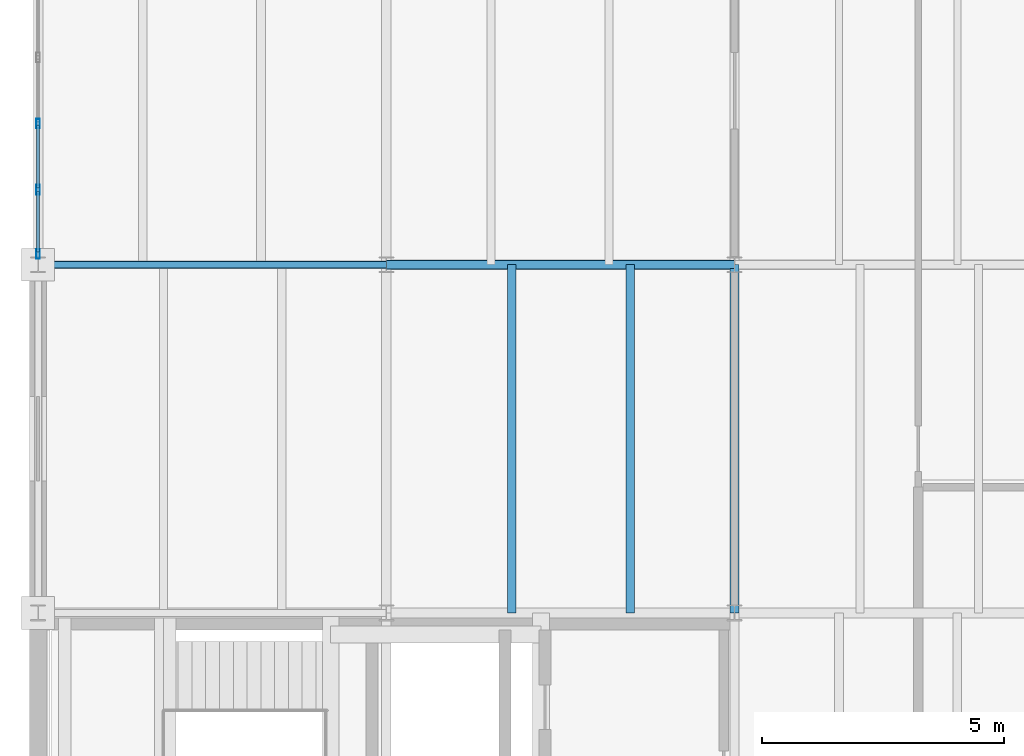
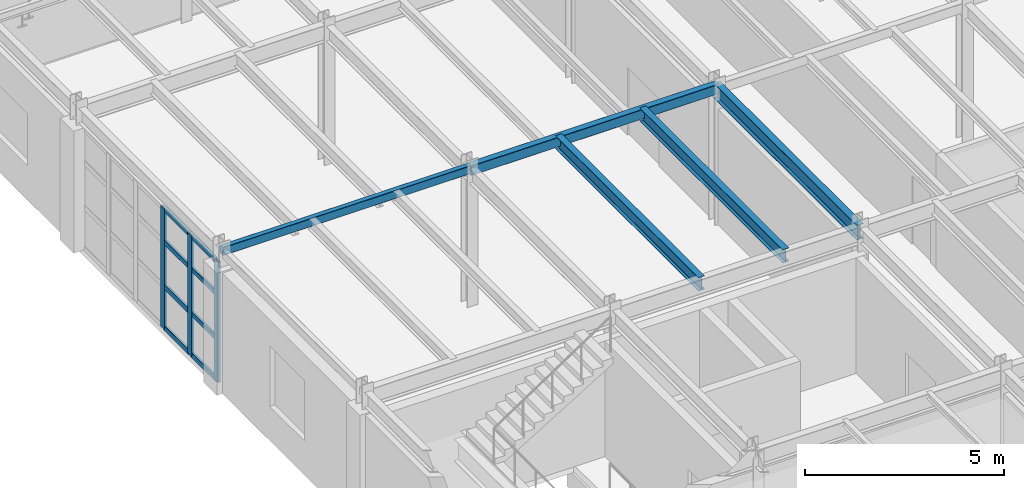
# One storey, part 25 of 137: 11 members, 5 beams, 1 element without a shape of its own.
"""IFC4 building model written with IfcOpenShell, lengths in metres."""

from ifc_helpers import new_model, si_unit, direction, frame, origin, origin_2d, place, context, subcontext, project, spatial, hollow_rectangle, i_section, extrude, material, layer, layer_set, material_profile, profile_set, type_object, element, aggregate, save


model = new_model("IFC4")

# Units and contexts
model_context = context("Model", 3, precision=1e-05, world=origin(), true_north=direction((0.0, 1.0)))
body_context = subcontext(model_context, "Body", "Model", "MODEL_VIEW")
ifc_project = project(units=[si_unit("LENGTHUNIT", "METRE"), si_unit("AREAUNIT", "SQUARE_METRE"), si_unit("VOLUMEUNIT", "CUBIC_METRE"), si_unit("PLANEANGLEUNIT", "RADIAN"), si_unit("MASSUNIT", "GRAM", prefix="KILO")], contexts=[model_context])

# Site, building, storey
site_placement = place(None, origin())
site = spatial("IfcSite", under=ifc_project, at=site_placement, CompositionType="ELEMENT")
building_placement = place(site_placement, origin())
building = spatial("IfcBuilding", under=site, at=building_placement, Name="Kemerveld Promenade Tramway Depot", CompositionType="ELEMENT")
storey_placement = place(building_placement, frame((0.0, 0.0, 5.39990234375)))
storey = spatial("IfcBuildingStorey", under=building, at=storey_placement, Name="L01", CompositionType="ELEMENT", Elevation=5.39990234375)

# Beams
ifc_material_1 = material(Name="Steel S355", Category="steel")
ifc_material_profile_1 = material_profile(ifc_material_1, i_section(OverallWidth=0.19140625, OverallDepth=0.4599609375, WebThickness=0.010009765625, FlangeThickness=0.01611328125, FilletRadius=0.01025390625, at=origin_2d()), Name="457x191x82 UB")
ifc_profile_set_1 = profile_set([ifc_material_profile_1], Name="Steel S355")
beam_type_1 = type_object("IfcBeamType", Name="BM-G06", PredefinedType="BEAM", material=ifc_profile_set_1)
beam_1_placement = place(storey_placement, frame((14.39990234375, 21.60009765625, 4.030029296875), z_axis=(0.0, 1.0, 0.0), x_axis=(-1.0, 0.0, 0.0)))
element("IfcBeam", 1, at=beam_1_placement, inside=storey, type_object=beam_type_1, Name="BMY-L01-03-D-E", PredefinedType="BEAM", context=body_context, shape_type="SweptSolid", body=[
    extrude(i_section(OverallWidth=0.19140625, OverallDepth=0.4599609375, WebThickness=0.010009765625, FlangeThickness=0.01611328125, FilletRadius=0.01025390625, at=origin_2d()), origin(), (0.0, 0.0, 1.0), 7.199951171875),
])
ifc_material_profile_2 = material_profile(ifc_material_1, hollow_rectangle(XDim=0.14990234375, YDim=0.25, WallThickness=0.010009765625, InnerFilletRadius=0.0048828125, OuterFilletRadius=0.014892578125, at=origin_2d()), Name="250x150x10.0 RHS")
ifc_profile_set_2 = profile_set([ifc_material_profile_2], Name="Steel S355")
beam_type_2 = type_object("IfcBeamType", Name="BM-G17", PredefinedType="BEAM", material=ifc_profile_set_2)
beam_2_placement = place(storey_placement, frame((0.0, 28.800048828125, 4.135009765625), z_axis=(1.0, 0.0, 0.0), x_axis=(0.0, 1.0, 0.0)))
element("IfcBeam", 2, at=beam_2_placement, inside=storey, type_object=beam_type_2, Name="BMX-L01-01-02-E", PredefinedType="BEAM", context=body_context, shape_type="SweptSolid", body=[
    extrude(hollow_rectangle(XDim=0.14990234375, YDim=0.25, WallThickness=0.010009765625, InnerFilletRadius=0.0048828125, OuterFilletRadius=0.014892578125, at=origin_2d()), origin(), (0.0, 0.0, 1.0), 7.199951171875),
])
ifc_material_profile_3 = material_profile(ifc_material_1, hollow_rectangle(XDim=0.199951171875, YDim=0.300048828125, WallThickness=0.012451171875, InnerFilletRadius=0.00634765625, OuterFilletRadius=0.018798828125, at=origin_2d()), Name="300x200x12.5 RHS")
ifc_profile_set_3 = profile_set([ifc_material_profile_3], Name="Steel S355")
beam_type_3 = type_object("IfcBeamType", Name="BM-G18", PredefinedType="BEAM", material=ifc_profile_set_3)
beam_3_placement = place(storey_placement, frame((7.199951171875, 28.800048828125, 4.110107421875), z_axis=(1.0, 0.0, 0.0), x_axis=(0.0, 1.0, 0.0)))
element("IfcBeam", 3, at=beam_3_placement, inside=storey, type_object=beam_type_3, Name="BMX-L01-02-03-E", PredefinedType="BEAM", context=body_context, shape_type="SweptSolid", body=[
    extrude(hollow_rectangle(XDim=0.199951171875, YDim=0.300048828125, WallThickness=0.012451171875, InnerFilletRadius=0.00634765625, OuterFilletRadius=0.018798828125, at=origin_2d()), origin(), (0.0, 0.0, 1.0), 7.199951171875),
])
ifc_material_profile_4 = material_profile(ifc_material_1, i_section(OverallWidth=0.1787109375, OverallDepth=0.409423828125, WebThickness=0.0087890625, FlangeThickness=0.014404296875, FilletRadius=0.01025390625, at=origin_2d()), Name="406x178x67 UB")
ifc_profile_set_4 = profile_set([ifc_material_profile_4], Name="Steel S355")
beam_type_4 = type_object("IfcBeamType", Name="BM-J05", PredefinedType="JOIST", material=ifc_profile_set_4)
for number, where, z_axis, x_axis, name in (
    (4, (9.7919921875, 21.60009765625, 4.055419921875), (0.0, 1.0, 0.0), (-1.0, 0.0, 0.0), "JST-L01-02-D-1"),
    (5, (12.239990234375, 21.60009765625, 4.055419921875), (0.0, 1.0, 0.0), (-1.0, 0.0, 0.0), "JST-L01-02-D-2"),
):
    element("IfcBeam", number, at=place(storey_placement, frame(where, z_axis=z_axis, x_axis=x_axis)), inside=storey, type_object=beam_type_4, Name=name, PredefinedType="JOIST", context=body_context, shape_type="SweptSolid", body=[
        extrude(i_section(OverallWidth=0.1787109375, OverallDepth=0.409423828125, WebThickness=0.0087890625, FlangeThickness=0.014404296875, FilletRadius=0.01025390625, at=origin_2d()), origin(), (0.0, 0.0, 1.0), 7.199951171875),
    ])

# Curtain wall, members
ifc_material_2 = material(Name="Bronze anodised aluminium and solar glass", Category="aluminium")
ifc_layer = layer(ifc_material_2, 0.199951171875)
ifc_layer_set = layer_set([ifc_layer], Name="CW-SYS-08")
curtain_wall_type = type_object("IfcCurtainWallType", Name="CW-SYS-08", PredefinedType="USERDEFINED", material=ifc_layer_set)
curtain_wall_placement = place(storey_placement, origin())
curtain_wall = element("IfcCurtainWall", 6, at=curtain_wall_placement, inside=storey, type_object=curtain_wall_type, Name="CW-L01-V5W-05", ObjectType="GLAZED_CURTAIN_WALL", PredefinedType="USERDEFINED")
ifc_material_3 = material(Name="Bronze anodised aluminium", Category="aluminium")
ifc_material_profile_5 = material_profile(ifc_material_3, hollow_rectangle(XDim=0.074951171875, YDim=0.199951171875, WallThickness=0.0048828125, InnerFilletRadius=0.001953125, OuterFilletRadius=0.0048828125, at=origin_2d()), Name="CW-MUL-200x75")
ifc_profile_set_5 = profile_set([ifc_material_profile_5], Name="Bronze anodised aluminium")
member_type_1 = type_object("IfcMemberType", Name="CW-MUL-B", PredefinedType="MULLION", material=ifc_profile_set_5)
member_1_placement = place(storey_placement, frame((0.0, 29.02099609375, 0.0), z_axis=(0.0, 0.0, 1.0), x_axis=(-1.0, 0.0, 0.0)))
member_1 = element("IfcMember", 7, at=member_1_placement, type_object=member_type_1, Name="CW08 mullion 1", PredefinedType="MULLION", context=body_context, shape_type="SweptSolid", body=[
    extrude(hollow_rectangle(XDim=0.074951171875, YDim=0.199951171875, WallThickness=0.0048828125, InnerFilletRadius=0.001953125, OuterFilletRadius=0.0048828125, at=origin_2d()), origin(), (0.0, 0.0, 1.0), 3.70361328125),
])
member_2_placement = place(storey_placement, frame((0.0, 30.35009765625, 0.0), z_axis=(0.0, 0.0, 1.0), x_axis=(-1.0, 0.0, 0.0)))
member_2 = element("IfcMember", 8, at=member_2_placement, type_object=member_type_1, Name="CW08 mullion 2", PredefinedType="MULLION", context=body_context, shape_type="SweptSolid", body=[
    extrude(hollow_rectangle(XDim=0.074951171875, YDim=0.199951171875, WallThickness=0.0048828125, InnerFilletRadius=0.001953125, OuterFilletRadius=0.0048828125, at=origin_2d()), origin(), (0.0, 0.0, 1.0), 3.70361328125),
])
member_3_placement = place(storey_placement, frame((0.0, 31.716796875, 0.0), z_axis=(0.0, 0.0, 1.0), x_axis=(-1.0, 0.0, 0.0)))
member_3 = element("IfcMember", 9, at=member_3_placement, type_object=member_type_1, Name="CW08 mullion 3", PredefinedType="MULLION", context=body_context, shape_type="SweptSolid", body=[
    extrude(hollow_rectangle(XDim=0.074951171875, YDim=0.199951171875, WallThickness=0.0048828125, InnerFilletRadius=0.001953125, OuterFilletRadius=0.0048828125, at=origin_2d()), origin(), (0.0, 0.0, 1.0), 3.70361328125),
])
ifc_material_profile_6 = material_profile(ifc_material_3, hollow_rectangle(XDim=0.06494140625, YDim=0.14990234375, WallThickness=0.00439453125, InnerFilletRadius=0.001953125, OuterFilletRadius=0.00439453125, at=origin_2d()), Name="CW-TRN-150x65")
ifc_profile_set_6 = profile_set([ifc_material_profile_6], Name="Bronze anodised aluminium")
member_type_2 = type_object("IfcMemberType", Name="CW-TRN-B", PredefinedType="USERDEFINED", material=ifc_profile_set_6)
member_4_placement = place(storey_placement, frame((0.0, 29.05859375, 0.03271484375), z_axis=(0.0, 1.0, 0.0), x_axis=(-1.0, 0.0, 0.0)))
member_4 = element("IfcMember", 10, at=member_4_placement, type_object=member_type_2, Name="CW08 transom 1.1", ObjectType="TRANSOM", PredefinedType="USERDEFINED", context=body_context, shape_type="SweptSolid", body=[
    extrude(hollow_rectangle(XDim=0.06494140625, YDim=0.14990234375, WallThickness=0.00439453125, InnerFilletRadius=0.001953125, OuterFilletRadius=0.00439453125, at=origin_2d()), origin(), (0.0, 0.0, 1.0), 1.254150390625),
])
member_5_placement = place(storey_placement, frame((0.0, 29.05859375, 1.296142578125), z_axis=(0.0, 1.0, 0.0), x_axis=(-1.0, 0.0, 0.0)))
member_5 = element("IfcMember", 11, at=member_5_placement, type_object=member_type_2, Name="CW08 transom 1.2", ObjectType="TRANSOM", PredefinedType="USERDEFINED", context=body_context, shape_type="SweptSolid", body=[
    extrude(hollow_rectangle(XDim=0.06494140625, YDim=0.14990234375, WallThickness=0.00439453125, InnerFilletRadius=0.001953125, OuterFilletRadius=0.00439453125, at=origin_2d()), origin(), (0.0, 0.0, 1.0), 1.254150390625),
])
member_6_placement = place(storey_placement, frame((0.0, 29.05859375, 2.666015625), z_axis=(0.0, 1.0, 0.0), x_axis=(-1.0, 0.0, 0.0)))
member_6 = element("IfcMember", 12, at=member_6_placement, type_object=member_type_2, Name="CW08 transom 1.3", ObjectType="TRANSOM", PredefinedType="USERDEFINED", context=body_context, shape_type="SweptSolid", body=[
    extrude(hollow_rectangle(XDim=0.06494140625, YDim=0.14990234375, WallThickness=0.00439453125, InnerFilletRadius=0.001953125, OuterFilletRadius=0.00439453125, at=origin_2d()), origin(), (0.0, 0.0, 1.0), 1.254150390625),
])
member_7_placement = place(storey_placement, frame((0.0, 29.05859375, 3.6708984375), z_axis=(0.0, 1.0, 0.0), x_axis=(-1.0, 0.0, 0.0)))
member_7 = element("IfcMember", 13, at=member_7_placement, type_object=member_type_2, Name="CW08 transom 1.4", ObjectType="TRANSOM", PredefinedType="USERDEFINED", context=body_context, shape_type="SweptSolid", body=[
    extrude(hollow_rectangle(XDim=0.06494140625, YDim=0.14990234375, WallThickness=0.00439453125, InnerFilletRadius=0.001953125, OuterFilletRadius=0.00439453125, at=origin_2d()), origin(), (0.0, 0.0, 1.0), 1.254150390625),
])
member_8_placement = place(storey_placement, frame((0.0, 30.3876953125, 0.03271484375), z_axis=(0.0, 1.0, 0.0), x_axis=(-1.0, 0.0, 0.0)))
member_8 = element("IfcMember", 14, at=member_8_placement, type_object=member_type_2, Name="CW08 transom 2.1", ObjectType="TRANSOM", PredefinedType="USERDEFINED", context=body_context, shape_type="SweptSolid", body=[
    extrude(hollow_rectangle(XDim=0.06494140625, YDim=0.14990234375, WallThickness=0.00439453125, InnerFilletRadius=0.001953125, OuterFilletRadius=0.00439453125, at=origin_2d()), origin(), (0.0, 0.0, 1.0), 1.29150390625),
])
member_9_placement = place(storey_placement, frame((0.0, 30.3876953125, 1.296142578125), z_axis=(0.0, 1.0, 0.0), x_axis=(-1.0, 0.0, 0.0)))
member_9 = element("IfcMember", 15, at=member_9_placement, type_object=member_type_2, Name="CW08 transom 2.2", ObjectType="TRANSOM", PredefinedType="USERDEFINED", context=body_context, shape_type="SweptSolid", body=[
    extrude(hollow_rectangle(XDim=0.06494140625, YDim=0.14990234375, WallThickness=0.00439453125, InnerFilletRadius=0.001953125, OuterFilletRadius=0.00439453125, at=origin_2d()), origin(), (0.0, 0.0, 1.0), 1.29150390625),
])
member_10_placement = place(storey_placement, frame((0.0, 30.3876953125, 2.666015625), z_axis=(0.0, 1.0, 0.0), x_axis=(-1.0, 0.0, 0.0)))
member_10 = element("IfcMember", 16, at=member_10_placement, type_object=member_type_2, Name="CW08 transom 2.3", ObjectType="TRANSOM", PredefinedType="USERDEFINED", context=body_context, shape_type="SweptSolid", body=[
    extrude(hollow_rectangle(XDim=0.06494140625, YDim=0.14990234375, WallThickness=0.00439453125, InnerFilletRadius=0.001953125, OuterFilletRadius=0.00439453125, at=origin_2d()), origin(), (0.0, 0.0, 1.0), 1.29150390625),
])
member_11_placement = place(storey_placement, frame((0.0, 30.3876953125, 3.6708984375), z_axis=(0.0, 1.0, 0.0), x_axis=(-1.0, 0.0, 0.0)))
member_11 = element("IfcMember", 17, at=member_11_placement, type_object=member_type_2, Name="CW08 transom 2.4", ObjectType="TRANSOM", PredefinedType="USERDEFINED", context=body_context, shape_type="SweptSolid", body=[
    extrude(hollow_rectangle(XDim=0.06494140625, YDim=0.14990234375, WallThickness=0.00439453125, InnerFilletRadius=0.001953125, OuterFilletRadius=0.00439453125, at=origin_2d()), origin(), (0.0, 0.0, 1.0), 1.29150390625),
])
aggregate(curtain_wall, [member_1, member_2, member_3, member_4, member_5, member_6, member_7, member_8, member_9, member_10, member_11])

save(model, "model.ifc")
